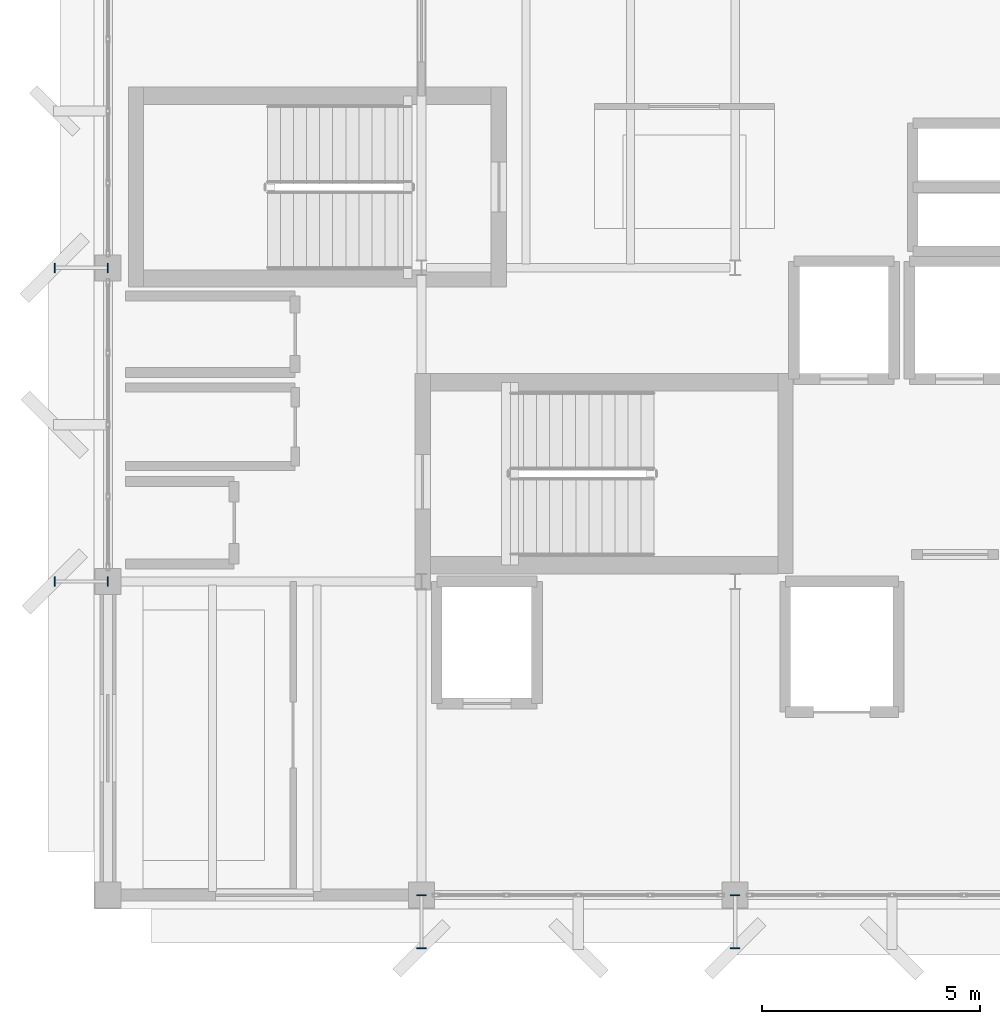
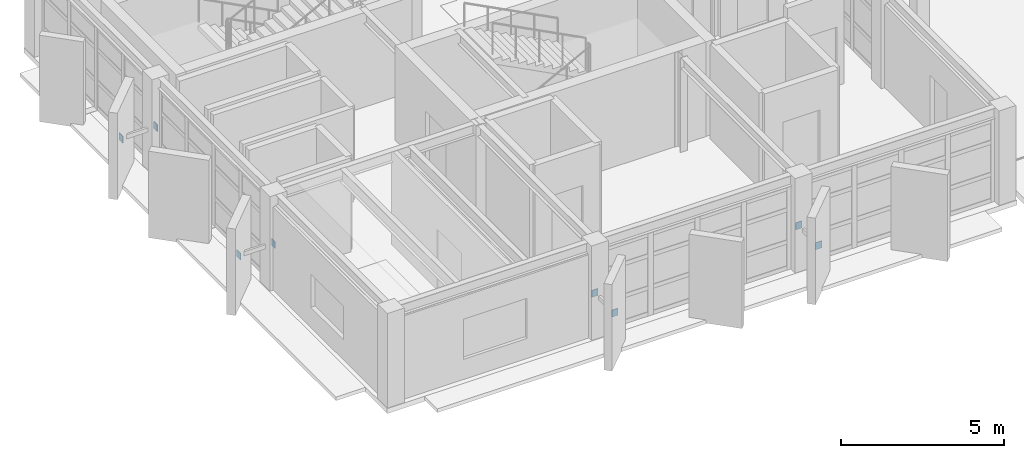
# One storey, part 11 of 13: 8 discrete accessories.
"""IFC4 building model written with IfcOpenShell, lengths in metres."""

from ifc_helpers import new_model, si_unit, direction, frame, origin, origin_2d, place, context, subcontext, project, spatial, rectangle, extrude, material, type_object, element, save


model = new_model("IFC4")

# Units and contexts
model_context = context("Model", 3, precision=1e-05, world=origin(), true_north=direction((0.0, 1.0)))
body_context = subcontext(model_context, "Body", "Model", "MODEL_VIEW")
ifc_project = project(units=[si_unit("LENGTHUNIT", "METRE"), si_unit("AREAUNIT", "SQUARE_METRE"), si_unit("VOLUMEUNIT", "CUBIC_METRE"), si_unit("PLANEANGLEUNIT", "RADIAN"), si_unit("MASSUNIT", "GRAM", prefix="KILO")], contexts=[model_context])

# Site, building, storey
site_placement = place(None, origin())
site = spatial("IfcSite", under=ifc_project, at=site_placement, CompositionType="ELEMENT")
building_placement = place(site_placement, origin())
building = spatial("IfcBuilding", under=site, at=building_placement, Name="Kandorven Conservatory and Botanical Research Centre", CompositionType="ELEMENT")
storey_placement = place(building_placement, frame((0.0, 0.0, 59.39990234375)))
storey = spatial("IfcBuildingStorey", under=building, at=storey_placement, Name="L15", CompositionType="ELEMENT", Elevation=59.39990234375)

# Discrete accessories
ifc_material = material(Name="Steel S355 (IS 2062 E350)", Category="steel")
discrete_accessory_type = type_object("IfcDiscreteAccessoryType", Name="SteelGussetPlate", PredefinedType="BRACKET", material=ifc_material)
for number, where, z_axis, x_axis, name in (
    (1, (13.199951171875, 6.0, 1.3701171875), (0.0, 0.0, 1.0), (1.0, 0.0, 0.0), "Welded steel strut end-plate GUS-01 #133A"),
    (2, (13.199951171875, 4.780029296875, 1.3701171875), (0.0, 0.0, 1.0), (1.0, 0.0, 0.0), "Welded steel strut end-plate GUS-01 #133B"),
    (3, (20.39990234375, 6.0, 1.3701171875), (0.0, 0.0, 1.0), (1.0, 0.0, 0.0), "Welded steel strut end-plate GUS-01 #135A"),
    (4, (20.39990234375, 4.780029296875, 1.3701171875), (0.0, 0.0, 1.0), (1.0, 0.0, 0.0), "Welded steel strut end-plate GUS-01 #135B"),
):
    element("IfcDiscreteAccessory", number, at=place(storey_placement, frame(where, z_axis=z_axis, x_axis=x_axis)), inside=storey, type_object=discrete_accessory_type, Name=name, PredefinedType="BRACKET", context=body_context, shape_type="SweptSolid", body=[
        extrude(rectangle(XDim=0.219970703125, YDim=0.02392578125, at=origin_2d()), origin(), (0.0, 0.0, 1.0), 0.260009765625),
    ])
for number, where, z_axis, x_axis, name in (
    (5, (6.0, 13.199951171875, 1.3701171875), (0.0, 0.0, 1.0), (1.0, 0.0, 0.0), "Welded steel strut end-plate GUS-01 #137A"),
    (6, (4.780029296875, 13.199951171875, 1.3701171875), (0.0, 0.0, 1.0), (1.0, 0.0, 0.0), "Welded steel strut end-plate GUS-01 #137B"),
    (7, (6.0, 20.39990234375, 1.3701171875), (0.0, 0.0, 1.0), (1.0, 0.0, 0.0), "Welded steel strut end-plate GUS-01 #139A"),
    (8, (4.780029296875, 20.39990234375, 1.3701171875), (0.0, 0.0, 1.0), (1.0, 0.0, 0.0), "Welded steel strut end-plate GUS-01 #139B"),
):
    element("IfcDiscreteAccessory", number, at=place(storey_placement, frame(where, z_axis=z_axis, x_axis=x_axis)), inside=storey, type_object=discrete_accessory_type, Name=name, PredefinedType="BRACKET", context=body_context, shape_type="SweptSolid", body=[
        extrude(rectangle(XDim=0.02392578125, YDim=0.219970703125, at=origin_2d()), origin(), (0.0, 0.0, 1.0), 0.260009765625),
    ])

save(model, "model.ifc")
